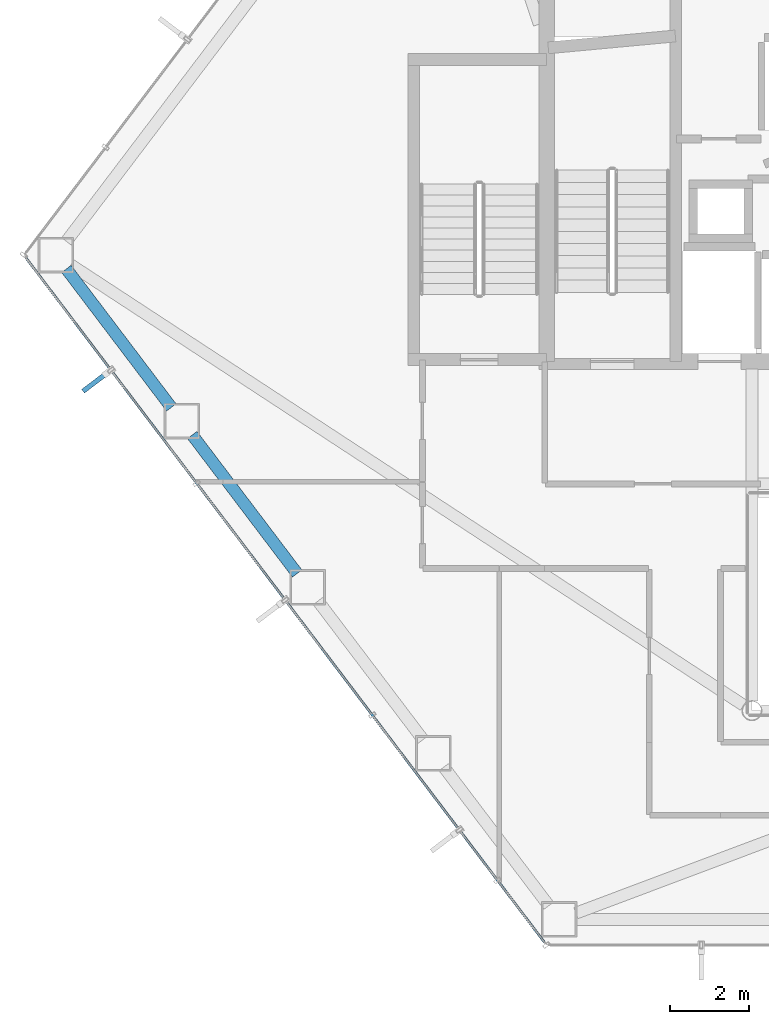
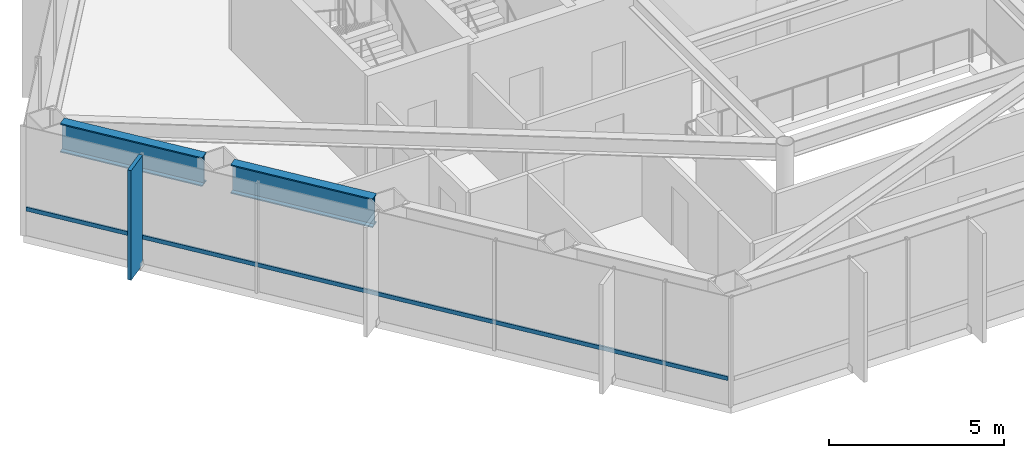
# One storey, part 3 of 25: 2 beams, 2 members, 1 element without a shape of its own.
"""IFC4 building model written with IfcOpenShell, lengths in metres."""

from ifc_helpers import new_model, si_unit, direction, frame, origin, origin_2d, place, context, subcontext, project, spatial, rectangle, hollow_rectangle, i_section, extrude, material, layer, layer_set, material_profile, profile_set, type_object, element, aggregate, save


model = new_model("IFC4")

# Units and contexts
model_context = context("Model", 3, precision=1e-05, world=origin(), true_north=direction((0.0, 1.0)))
body_context = subcontext(model_context, "Body", "Model", "MODEL_VIEW")
ifc_project = project(units=[si_unit("LENGTHUNIT", "METRE"), si_unit("AREAUNIT", "SQUARE_METRE"), si_unit("VOLUMEUNIT", "CUBIC_METRE"), si_unit("PLANEANGLEUNIT", "RADIAN"), si_unit("MASSUNIT", "GRAM", prefix="KILO")], contexts=[model_context])

# Site, building, storey
site_placement = place(None, origin())
site = spatial("IfcSite", under=ifc_project, at=site_placement, CompositionType="ELEMENT")
building_placement = place(site_placement, origin())
building = spatial("IfcBuilding", under=site, at=building_placement, Name="Zarrinselat Tower", CompositionType="ELEMENT")
storey_placement = place(building_placement, frame((0.0, 0.0, 84.659912109375)))
storey = spatial("IfcBuildingStorey", under=building, at=storey_placement, Name="L20", CompositionType="ELEMENT", Elevation=84.659912109375)

# Beams
ifc_material_1 = material(Name="Steel S460M", Category="steel")
ifc_material_profile_1 = material_profile(ifc_material_1, i_section(OverallWidth=0.302001953125, OverallDepth=1.008056640625, WebThickness=0.02099609375, FlangeThickness=0.0400390625, at=origin_2d()), Name="HEM 1000")
ifc_profile_set_1 = profile_set([ifc_material_profile_1], Name="Steel S460M")
beam_type = type_object("IfcBeamType", Name="BM-HEM1000", PredefinedType="BEAM", material=ifc_profile_set_1)
beam_1_placement = place(storey_placement, frame((16.427734375, 35.5966796875, 3.316162109375), z_axis=(0.603824602706, -0.797117211687, 0.0), x_axis=(0.797117211687, 0.603824602706, 0.0)))
element("IfcBeam", 1, at=beam_1_placement, inside=storey, type_object=beam_type, Name="L20 Perimeter Spandrel Girder SP06", PredefinedType="BEAM", context=body_context, shape_type="SweptSolid", body=[
    extrude(i_section(OverallWidth=0.302001953125, OverallDepth=1.008056640625, WebThickness=0.02099609375, FlangeThickness=0.0400390625, at=origin_2d()), origin(), (0.0, 0.0, 1.0), 4.404296875),
])
beam_2_placement = place(storey_placement, frame((19.6162109375, 31.3876953125, 3.316162109375), z_axis=(0.603859822423, -0.797090531159, 0.0), x_axis=(0.797090531159, 0.603859822423, 0.0)))
element("IfcBeam", 2, at=beam_2_placement, inside=storey, type_object=beam_type, Name="L20 Perimeter Spandrel Girder SP07", PredefinedType="BEAM", context=body_context, shape_type="SweptSolid", body=[
    extrude(i_section(OverallWidth=0.302001953125, OverallDepth=1.008056640625, WebThickness=0.02099609375, FlangeThickness=0.0400390625, at=origin_2d()), origin(), (0.0, 0.0, 1.0), 4.404541015625),
])

# Curtain wall, members
ifc_material_2 = material(Name="Extruded Aluminium Alloy EN AW-6063 T6", Category="aluminium")
ifc_layer = layer(ifc_material_2, 0.18505859375)
ifc_layer_set = layer_set([ifc_layer], Name="Extruded Aluminium Alloy EN AW-6063 T6")
curtain_wall_type = type_object("IfcCurtainWallType", Name="CWS-OFF", PredefinedType="NOTDEFINED", material=ifc_layer_set)
curtain_wall_placement = place(storey_placement, origin())
curtain_wall = element("IfcCurtainWall", 3, at=curtain_wall_placement, inside=storey, type_object=curtain_wall_type, Name="L20 Unitised Curtain Wall CW-L20-E03", PredefinedType="NOTDEFINED")
ifc_material_3 = material(Name="Extruded Aluminium Alloy EN AW-6063 T6", Category="aluminium")
ifc_material_profile_2 = material_profile(ifc_material_3, hollow_rectangle(XDim=0.06005859375, YDim=0.139892578125, WallThickness=0.00390625, at=origin_2d()), Name="RHS 140x60x4")
ifc_profile_set_2 = profile_set([ifc_material_profile_2], Name="Extruded Aluminium Alloy EN AW-6063 T6")
member_type_1 = type_object("IfcMemberType", Name="MEM-CW-TRN", PredefinedType="USERDEFINED", material=ifc_profile_set_2)
member_1_placement = place(storey_placement, frame((15.402099609375, 35.8740234375, 0.9501953125), z_axis=(0.603853151009, -0.797095585245, 0.0), x_axis=(0.797095585245, 0.603853151009, 0.0)))
member_1 = element("IfcMember", 4, at=member_1_placement, type_object=member_type_1, Name="CW-L20-E03 Transom 1", ObjectType="TRANSOM", PredefinedType="USERDEFINED", context=body_context, shape_type="SweptSolid", body=[
    extrude(hollow_rectangle(XDim=0.06005859375, YDim=0.139892578125, WallThickness=0.00390625, at=origin_2d()), origin(), (0.0, 0.0, 1.0), 21.7568359375),
])
ifc_material_4 = material(Name="Honed Cream Travertine Stone", Category="masonry")
ifc_material_profile_3 = material_profile(ifc_material_4, rectangle(XDim=0.1201171875, YDim=0.85009765625, at=origin_2d()), Name="FIN 850x120")
ifc_profile_set_3 = profile_set([ifc_material_profile_3], Name="Honed Cream Travertine Stone")
member_type_2 = type_object("IfcMemberType", Name="MEM-STONE-FIN", PredefinedType="USERDEFINED", material=ifc_profile_set_3)
member_2_placement = place(storey_placement, frame((17.188720703125, 32.753662109375, 0.0), z_axis=(0.0, 0.0, 1.0), x_axis=(-0.603856459269, 0.797093079006, 0.0)))
member_2 = element("IfcMember", 5, at=member_2_placement, type_object=member_type_2, Name="L20 Stone Shading Fin CW-L20-E03-01", ObjectType="FIN", PredefinedType="USERDEFINED", context=body_context, shape_type="SweptSolid", body=[
    extrude(rectangle(XDim=0.1201171875, YDim=0.85009765625, at=origin_2d()), origin(), (0.0, 0.0, 1.0), 3.820068359375),
])
aggregate(curtain_wall, [member_2, member_1])

save(model, "model.ifc")
